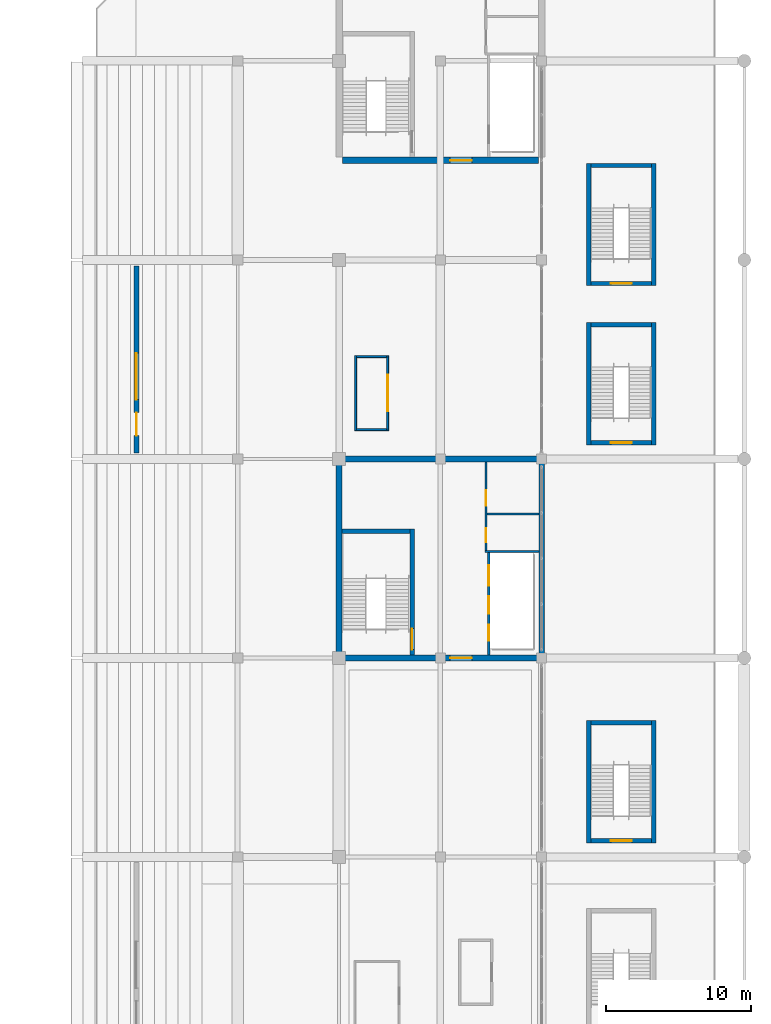
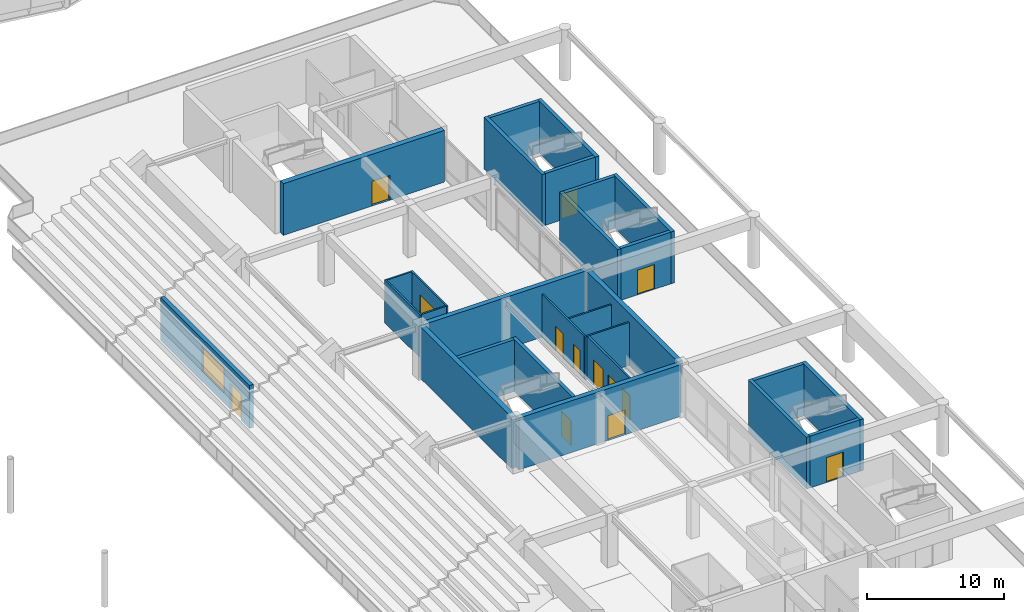
# One storey, part 74 of 94: 28 walls, 13 doors, 1 window, 14 openings.
"""IFC4 building model written with IfcOpenShell, lengths in metres."""

from ifc_helpers import new_model, si_unit, direction, frame, frame_2d, origin, place, context, subcontext, project, spatial, rectangle, extrude, material, layer, layer_set, type_object, element, fill, save


model = new_model("IFC4")

# Units and contexts
model_context = context("Model", 3, precision=1e-05, world=origin(), true_north=direction((0.0, 1.0)))
body_context = subcontext(model_context, "Body", "Model", "MODEL_VIEW")
ifc_project = project(units=[si_unit("LENGTHUNIT", "METRE"), si_unit("AREAUNIT", "SQUARE_METRE"), si_unit("VOLUMEUNIT", "CUBIC_METRE"), si_unit("PLANEANGLEUNIT", "RADIAN"), si_unit("MASSUNIT", "GRAM", prefix="KILO")], contexts=[model_context])

# Site, building, storey
site_placement = place(None, origin())
site = spatial("IfcSite", under=ifc_project, at=site_placement, CompositionType="ELEMENT")
building_placement = place(site_placement, origin())
building = spatial("IfcBuilding", under=site, at=building_placement, Name="Linyun Crest Stadium", CompositionType="ELEMENT")
storey_placement = place(building_placement, frame((0.0, 0.0, 16.199951171875)))
storey = spatial("IfcBuildingStorey", under=building, at=storey_placement, Name="L04", CompositionType="ELEMENT", Elevation=16.199951171875)

# Walls
ifc_material_1 = material(Name="Concrete C50", Category="concrete")
ifc_layer_1 = layer(ifc_material_1, 0.39990234375)
ifc_layer_set_1 = layer_set([ifc_layer_1], Name="Concrete C50")
wall_type_1 = type_object("IfcWallType", Name="CW02", PredefinedType="SHEAR", material=ifc_layer_set_1)
for number, where, z_axis, x_axis, name in (
    (1, (70.0, 2.324951171875, 0.0), (0.0, 0.0, 1.0), (0.0, 1.0, 0.0), "Core shear wall CW02 CORE-E2 L04.1"),
    (2, (84.0, 2.324951171875, 0.0), (0.0, 0.0, 1.0), (0.0, 1.0, 0.0), "Core shear wall CW02 CORE-E2 L04.2"),
):
    element("IfcWall", number, at=place(storey_placement, frame(where, z_axis=z_axis, x_axis=x_axis)), inside=storey, type_object=wall_type_1, Name=name, PredefinedType="SHEAR", context=body_context, shape_type="SweptSolid", body=[
        extrude(rectangle(XDim=13.35009765625, YDim=0.39990234375, at=frame_2d((6.675048828125, 0.0))), origin(), (0.0, 0.0, 1.0), 4.60009765625),
    ])

# Wall, opening, door
wall_1_placement = place(storey_placement, frame((70.199951171875, 2.125, 0.0), z_axis=(0.0, 0.0, 1.0), x_axis=(1.0, 0.0, 0.0)))
wall_1 = element("IfcWall", 3, at=wall_1_placement, inside=storey, type_object=wall_type_1, Name="Core shear wall CW02 CORE-E2 L04.3", PredefinedType="SHEAR", context=body_context, shape_type="SweptSolid", body=[
    extrude(rectangle(XDim=13.60009765625, YDim=0.39990234375, at=frame_2d((6.800048828125, 0.0))), origin(), (0.0, 0.0, 1.0), 4.60009765625),
])
opening_1_placement = place(wall_1_placement, frame((7.47998046875, 0.0, 0.0)))
opening_1 = element("IfcOpeningElement", 4, at=opening_1_placement, cuts=wall_1, Name="Opening D-L04-212", PredefinedType="OPENING", context=body_context, shape_type="SweptSolid", body=[
    extrude(rectangle(XDim=1.5, YDim=2.199951171875, at=frame_2d((0.75, 1.10009765625))), frame((0.0, 0.2099609375, 0.0), z_axis=(0.0, -1.0, 0.0), x_axis=(1.0, 0.0, 0.0)), (0.0, 0.0, 1.0), 0.419921875),
])
ifc_material_2 = material(Name="Galvanized steel Class A fire door", Category="steel")
ifc_layer_2 = layer(ifc_material_2, 0.054931640625)
ifc_layer_set_2 = layer_set([ifc_layer_2], Name="Galvanized steel Class A fire door")
door_type_1 = type_object("IfcDoorType", Name="FD01", OperationType="NOTDEFINED", PredefinedType="DOOR", material=ifc_layer_set_2)
door_1_placement = place(opening_1_placement, origin())
door_1 = element("IfcDoor", 5, at=door_1_placement, inside=storey, type_object=door_type_1, Name="Door D-L04-212", OperationType="SINGLE_SWING_RIGHT", OverallHeight=2.199951171875, OverallWidth=1.5, PredefinedType="DOOR", context=body_context, shape_type="SweptSolid", body=[
    extrude(rectangle(XDim=1.5, YDim=2.199951171875, at=frame_2d((0.75, 1.10009765625))), frame((0.0, 0.02490234375, 0.0), z_axis=(0.0, -1.0, 0.0), x_axis=(1.0, 0.0, 0.0)), (0.0, 0.0, 1.0), 0.050048828125),
])
fill(opening_1, door_1)

# Wall
wall_2_placement = place(storey_placement, frame((70.199951171875, 15.875, 0.0), z_axis=(0.0, 0.0, 1.0), x_axis=(1.0, 0.0, 0.0)))
element("IfcWall", 6, at=wall_2_placement, inside=storey, type_object=wall_type_1, Name="Core shear wall CW02 CORE-E2 L04.4", PredefinedType="SHEAR", context=body_context, shape_type="SweptSolid", body=[
    extrude(rectangle(XDim=13.60009765625, YDim=0.39990234375, at=frame_2d((6.800048828125, 0.0))), origin(), (0.0, 0.0, 1.0), 4.60009765625),
])

# Wall, opening, door
ifc_material_3 = material(Name="Concrete C50", Category="concrete")
ifc_layer_3 = layer(ifc_material_3, 0.449951171875)
ifc_layer_set_3 = layer_set([ifc_layer_3], Name="Concrete C50")
wall_type_2 = type_object("IfcWallType", Name="CW03", PredefinedType="SHEAR", material=ifc_layer_set_3)
wall_3_placement = place(storey_placement, frame((70.22509765625, 36.5, 0.0), z_axis=(0.0, 0.0, 1.0), x_axis=(1.0, 0.0, 0.0)))
wall_3 = element("IfcWall", 7, at=wall_3_placement, inside=storey, type_object=wall_type_2, Name="Core shear wall CW03 CORE-E3 L04.3", PredefinedType="SHEAR", context=body_context, shape_type="SweptSolid", body=[
    extrude(rectangle(XDim=13.5498046875, YDim=0.449951171875, at=frame_2d((6.77490234375, 0.0))), origin(), (0.0, 0.0, 1.0), 4.60009765625),
])
opening_2_placement = place(wall_3_placement, frame((7.452880859375, 0.0, 0.0)))
opening_2 = element("IfcOpeningElement", 8, at=opening_2_placement, cuts=wall_3, Name="Opening D-L04-246", PredefinedType="OPENING", context=body_context, shape_type="SweptSolid", body=[
    extrude(rectangle(XDim=1.5, YDim=2.199951171875, at=frame_2d((0.75, 1.10009765625))), frame((0.0, 0.23486328125, 0.0), z_axis=(0.0, -1.0, 0.0), x_axis=(1.0, 0.0, 0.0)), (0.0, 0.0, 1.0), 0.469970703125),
])
door_2_placement = place(opening_2_placement, origin())
door_2 = element("IfcDoor", 9, at=door_2_placement, inside=storey, type_object=door_type_1, Name="Door D-L04-246", OperationType="SINGLE_SWING_RIGHT", OverallHeight=2.199951171875, OverallWidth=1.5, PredefinedType="DOOR", context=body_context, shape_type="SweptSolid", body=[
    extrude(rectangle(XDim=1.5, YDim=2.199951171875, at=frame_2d((0.75, 1.10009765625))), frame((0.0, 0.02490234375, 0.0), z_axis=(0.0, -1.0, 0.0), x_axis=(1.0, 0.0, 0.0)), (0.0, 0.0, 1.0), 0.050048828125),
])
fill(opening_2, door_2)

# Wall, openings, door, window
ifc_material_4 = material(Name="Precast concrete C40 insulated facade panel", Category="concrete")
ifc_layer_4 = layer(ifc_material_4, 0.330078125)
ifc_layer_set_4 = layer_set([ifc_layer_4], Name="Precast concrete C40 insulated facade panel")
wall_type_3 = type_object("IfcWallType", Name="EW05", PredefinedType="SOLIDWALL", material=ifc_layer_set_4)
wall_4_placement = place(storey_placement, frame((56.0, 16.280029296875, 0.0), z_axis=(0.0, 0.0, 1.0), x_axis=(0.0, 1.0, 0.0)))
wall_4 = element("IfcWall", 10, at=wall_4_placement, inside=storey, type_object=wall_type_3, Name="Exterior wall EW05 L04 69", PredefinedType="SOLIDWALL", context=body_context, shape_type="SweptSolid", body=[
    extrude(rectangle(XDim=12.93994140625, YDim=0.330078125, at=frame_2d((6.469970703125, 0.0))), origin(), (0.0, 0.0, 1.0), 3.820068359375),
])
opening_3_placement = place(wall_4_placement, frame((1.199951171875, 0.0, 0.0)))
opening_3 = element("IfcOpeningElement", 11, at=opening_3_placement, cuts=wall_4, Name="Opening BD-L04-08", PredefinedType="OPENING", context=body_context, shape_type="SweptSolid", body=[
    extrude(rectangle(XDim=1.60009765625, YDim=2.300048828125, at=frame_2d((0.800048828125, 1.14990234375))), frame((0.0, 0.175048828125, 0.0), z_axis=(0.0, -1.0, 0.0), x_axis=(1.0, 0.0, 0.0)), (0.0, 0.0, 1.0), 0.35009765625),
])
opening_4_placement = place(wall_4_placement, frame((3.699951171875, 0.0, 0.89990234375)))
opening_4 = element("IfcOpeningElement", 12, at=opening_4_placement, cuts=wall_4, Name="Opening WN10", PredefinedType="OPENING", context=body_context, shape_type="SweptSolid", body=[
    extrude(rectangle(XDim=3.199951171875, YDim=2.199951171875, at=frame_2d((1.60009765625, 1.10009765625))), frame((0.0, 0.175048828125, 0.0), z_axis=(0.0, -1.0, 0.0), x_axis=(1.0, 0.0, 0.0)), (0.0, 0.0, 1.0), 0.35009765625),
])
ifc_material_5 = material(Name="Thermally broken aluminium and low-E glass", Category="aluminium")
ifc_layer_5 = layer(ifc_material_5, 0.054931640625)
ifc_layer_set_5 = layer_set([ifc_layer_5], Name="Thermally broken aluminium and low-E glass")
door_type_2 = type_object("IfcDoorType", Name="BD04", OperationType="NOTDEFINED", PredefinedType="DOOR", material=ifc_layer_set_5)
door_3_placement = place(opening_3_placement, origin())
door_3 = element("IfcDoor", 13, at=door_3_placement, inside=storey, type_object=door_type_2, Name="Terrace door BD-L04-08", OperationType="SINGLE_SWING_RIGHT", OverallHeight=2.300048828125, OverallWidth=1.60009765625, PredefinedType="DOOR", context=body_context, shape_type="SweptSolid", body=[
    extrude(rectangle(XDim=1.60009765625, YDim=2.300048828125, at=frame_2d((0.800048828125, 1.14990234375))), frame((0.0, 0.02490234375, 0.0), z_axis=(0.0, -1.0, 0.0), x_axis=(1.0, 0.0, 0.0)), (0.0, 0.0, 1.0), 0.050048828125),
])
fill(opening_3, door_3)
ifc_material_6 = material(Name="Hospitality panoramic low-E vision window")
ifc_layer_6 = layer(ifc_material_6, 0.06494140625)
ifc_layer_set_6 = layer_set([ifc_layer_6], Name="Hospitality panoramic low-E vision window")
window_type = type_object("IfcWindowType", Name="WN10", PartitioningType="SINGLE_PANEL", PredefinedType="WINDOW", material=ifc_layer_set_6)
window_placement = place(opening_4_placement, origin())
window = element("IfcWindow", 14, at=window_placement, inside=storey, type_object=window_type, Name="Window WN10 L04 44", OverallHeight=2.199951171875, OverallWidth=3.199951171875, PartitioningType="SINGLE_PANEL", PredefinedType="WINDOW", context=body_context, shape_type="SweptSolid", body=[
    extrude(rectangle(XDim=3.199951171875, YDim=2.199951171875, at=frame_2d((1.60009765625, 1.10009765625))), frame((0.0, 0.030029296875, 0.0), z_axis=(0.0, -1.0, 0.0), x_axis=(1.0, 0.0, 0.0)), (0.0, 0.0, 1.0), 0.06005859375),
])
fill(opening_4, window)

# Wall, openings, doors
ifc_material_7 = material(Name="Autoclaved aerated concrete block fire partition", Category="concrete")
ifc_layer_7 = layer(ifc_material_7, 0.179931640625)
ifc_layer_set_7 = layer_set([ifc_layer_7], Name="Autoclaved aerated concrete block fire partition")
wall_type_4 = type_object("IfcWallType", Name="PW12", PredefinedType="PARTITIONING", material=ifc_layer_set_7)
wall_5_placement = place(storey_placement, frame((80.35009765625, 2.324951171875, 0.0), z_axis=(0.0, 0.0, 1.0), x_axis=(0.0, 1.0, 0.0)))
wall_5 = element("IfcWall", 15, at=wall_5_placement, inside=storey, type_object=wall_type_4, Name="Partition PW12 L04 77", PredefinedType="PARTITIONING", context=body_context, shape_type="SweptSolid", body=[
    extrude(rectangle(XDim=7.080078125, YDim=0.179931640625, at=frame_2d((3.5400390625, 0.0))), origin(), (0.0, 0.0, 1.0), 3.820068359375),
])
opening_5_placement = place(wall_5_placement, frame((1.0, 0.0, 0.0)))
opening_5 = element("IfcOpeningElement", 16, at=opening_5_placement, cuts=wall_5, Name="Opening LD073", PredefinedType="OPENING", context=body_context, shape_type="SweptSolid", body=[
    extrude(rectangle(XDim=1.10009765625, YDim=2.199951171875, at=frame_2d((0.550048828125, 1.10009765625))), frame((0.0, 0.099853515625, 0.0), z_axis=(0.0, -1.0, 0.0), x_axis=(1.0, 0.0, 0.0)), (0.0, 0.0, 1.0), 0.199951171875),
])
opening_6_placement = place(wall_5_placement, frame((2.85009765625, 0.0, 0.0)))
opening_6 = element("IfcOpeningElement", 17, at=opening_6_placement, cuts=wall_5, Name="Opening LD074", PredefinedType="OPENING", context=body_context, shape_type="SweptSolid", body=[
    extrude(rectangle(XDim=1.199951171875, YDim=2.25, at=frame_2d((0.60009765625, 1.125))), frame((0.0, 0.099853515625, 0.0), z_axis=(0.0, -1.0, 0.0), x_axis=(1.0, 0.0, 0.0)), (0.0, 0.0, 1.0), 0.199951171875),
])
opening_7_placement = place(wall_5_placement, frame((4.800048828125, 0.0, 0.0)))
opening_7 = element("IfcOpeningElement", 18, at=opening_7_placement, cuts=wall_5, Name="Opening LD075", PredefinedType="OPENING", context=body_context, shape_type="SweptSolid", body=[
    extrude(rectangle(XDim=1.39990234375, YDim=2.300048828125, at=frame_2d((0.699951171875, 1.14990234375))), frame((0.0, 0.099853515625, 0.0), z_axis=(0.0, -1.0, 0.0), x_axis=(1.0, 0.0, 0.0)), (0.0, 0.0, 1.0), 0.199951171875),
])
ifc_material_8 = material(Name="Brushed stainless sliding lift door")
ifc_layer_8 = layer(ifc_material_8, 0.050048828125)
ifc_layer_set_8 = layer_set([ifc_layer_8], Name="Brushed stainless sliding lift door")
door_type_3 = type_object("IfcDoorType", Name="LD01", OperationType="NOTDEFINED", PredefinedType="DOOR", material=ifc_layer_set_8)
door_4_placement = place(opening_5_placement, origin())
door_4 = element("IfcDoor", 19, at=door_4_placement, inside=storey, type_object=door_type_3, Name="Lift landing door LD073", OperationType="DOUBLE_DOOR_SLIDING", OverallHeight=2.199951171875, OverallWidth=1.10009765625, PredefinedType="DOOR", context=body_context, shape_type="SweptSolid", body=[
    extrude(rectangle(XDim=1.10009765625, YDim=2.199951171875, at=frame_2d((0.550048828125, 1.10009765625))), frame((0.0, 0.02490234375, 0.0), z_axis=(0.0, -1.0, 0.0), x_axis=(1.0, 0.0, 0.0)), (0.0, 0.0, 1.0), 0.050048828125),
])
fill(opening_5, door_4)
ifc_material_9 = material(Name="Brushed stainless sliding lift door")
ifc_layer_9 = layer(ifc_material_9, 0.050048828125)
ifc_layer_set_9 = layer_set([ifc_layer_9], Name="Brushed stainless sliding lift door")
door_type_4 = type_object("IfcDoorType", Name="LD02", OperationType="NOTDEFINED", PredefinedType="DOOR", material=ifc_layer_set_9)
door_5_placement = place(opening_6_placement, origin())
door_5 = element("IfcDoor", 20, at=door_5_placement, inside=storey, type_object=door_type_4, Name="Lift landing door LD074", OperationType="DOUBLE_DOOR_SLIDING", OverallHeight=2.25, OverallWidth=1.199951171875, PredefinedType="DOOR", context=body_context, shape_type="SweptSolid", body=[
    extrude(rectangle(XDim=1.199951171875, YDim=2.25, at=frame_2d((0.60009765625, 1.125))), frame((0.0, 0.02490234375, 0.0), z_axis=(0.0, -1.0, 0.0), x_axis=(1.0, 0.0, 0.0)), (0.0, 0.0, 1.0), 0.050048828125),
])
fill(opening_6, door_5)
ifc_material_10 = material(Name="Heavy-duty stainless sliding door")
ifc_layer_10 = layer(ifc_material_10, 0.054931640625)
ifc_layer_set_10 = layer_set([ifc_layer_10], Name="Heavy-duty stainless sliding door")
door_type_5 = type_object("IfcDoorType", Name="LD03", OperationType="NOTDEFINED", PredefinedType="DOOR", material=ifc_layer_set_10)
door_6_placement = place(opening_7_placement, origin())
door_6 = element("IfcDoor", 21, at=door_6_placement, inside=storey, type_object=door_type_5, Name="Lift landing door LD075", OperationType="DOUBLE_DOOR_SLIDING", OverallHeight=2.300048828125, OverallWidth=1.39990234375, PredefinedType="DOOR", context=body_context, shape_type="SweptSolid", body=[
    extrude(rectangle(XDim=1.39990234375, YDim=2.300048828125, at=frame_2d((0.699951171875, 1.14990234375))), frame((0.0, 0.02490234375, 0.0), z_axis=(0.0, -1.0, 0.0), x_axis=(1.0, 0.0, 0.0)), (0.0, 0.0, 1.0), 0.050048828125),
])
fill(opening_7, door_6)

ifc_material_11 = material(Name="Moisture-resistant ceramic-tiled wet-room wall")
ifc_layer_11 = layer(ifc_material_11, 0.139892578125)
ifc_layer_set_11 = layer_set([ifc_layer_11], Name="Moisture-resistant ceramic-tiled wet-room wall")
wall_type_5 = type_object("IfcWallType", Name="PW15", PredefinedType="PARTITIONING", material=ifc_layer_set_11)
wall_6_placement = place(storey_placement, frame((80.14990234375, 9.544921875, 0.0), z_axis=(0.0, 0.0, 1.0), x_axis=(0.0, 1.0, 0.0)))
wall_6 = element("IfcWall", 22, at=wall_6_placement, inside=storey, type_object=wall_type_5, Name="Partition PW15 L04 78", PredefinedType="PARTITIONING", context=body_context, shape_type="SweptSolid", body=[
    extrude(rectangle(XDim=6.130126953125, YDim=0.139892578125, at=frame_2d((3.06494140625, 0.0))), origin(), (0.0, 0.0, 1.0), 3.820068359375),
])
opening_8_placement = place(wall_6_placement, frame((0.580078125, 0.0, 0.0)))
opening_8 = element("IfcOpeningElement", 23, at=opening_8_placement, cuts=wall_6, Name="Opening D-L04-217", PredefinedType="OPENING", context=body_context, shape_type="SweptSolid", body=[
    extrude(rectangle(XDim=0.949951171875, YDim=2.14990234375, at=frame_2d((0.47509765625, 1.074951171875))), frame((0.0, 0.079833984375, 0.0), z_axis=(0.0, -1.0, 0.0), x_axis=(1.0, 0.0, 0.0)), (0.0, 0.0, 1.0), 0.159912109375),
])
opening_9_placement = place(wall_6_placement, frame((3.080078125, 0.0, 0.0)))
opening_9 = element("IfcOpeningElement", 24, at=opening_9_placement, cuts=wall_6, Name="Opening D-L04-218", PredefinedType="OPENING", context=body_context, shape_type="SweptSolid", body=[
    extrude(rectangle(XDim=1.10009765625, YDim=2.14990234375, at=frame_2d((0.550048828125, 1.074951171875))), frame((0.0, 0.079833984375, 0.0), z_axis=(0.0, -1.0, 0.0), x_axis=(1.0, 0.0, 0.0)), (0.0, 0.0, 1.0), 0.159912109375),
])
ifc_material_12 = material(Name="Moisture-resistant laminate leaf")
ifc_layer_12 = layer(ifc_material_12, 0.044921875)
ifc_layer_set_12 = layer_set([ifc_layer_12], Name="Moisture-resistant laminate leaf")
door_type_6 = type_object("IfcDoorType", Name="ID02", OperationType="NOTDEFINED", PredefinedType="DOOR", material=ifc_layer_set_12)
door_7_placement = place(opening_8_placement, origin())
door_7 = element("IfcDoor", 25, at=door_7_placement, inside=storey, type_object=door_type_6, Name="Door D-L04-217", OperationType="SINGLE_SWING_LEFT", OverallHeight=2.14990234375, OverallWidth=0.949951171875, PredefinedType="DOOR", context=body_context, shape_type="SweptSolid", body=[
    extrude(rectangle(XDim=0.949951171875, YDim=2.14990234375, at=frame_2d((0.47509765625, 1.074951171875))), frame((0.0, 0.02490234375, 0.0), z_axis=(0.0, -1.0, 0.0), x_axis=(1.0, 0.0, 0.0)), (0.0, 0.0, 1.0), 0.050048828125),
])
fill(opening_8, door_7)
ifc_material_13 = material(Name="Moisture-resistant laminate leaf")
ifc_layer_13 = layer(ifc_material_13, 0.044921875)
ifc_layer_set_13 = layer_set([ifc_layer_13], Name="Moisture-resistant laminate leaf")
door_type_7 = type_object("IfcDoorType", Name="ID03", OperationType="NOTDEFINED", PredefinedType="DOOR", material=ifc_layer_set_13)
door_8_placement = place(opening_9_placement, origin())
door_8 = element("IfcDoor", 26, at=door_8_placement, inside=storey, type_object=door_type_7, Name="Door D-L04-218", OperationType="SINGLE_SWING_RIGHT", OverallHeight=2.14990234375, OverallWidth=1.10009765625, PredefinedType="DOOR", context=body_context, shape_type="SweptSolid", body=[
    extrude(rectangle(XDim=1.10009765625, YDim=2.14990234375, at=frame_2d((0.550048828125, 1.074951171875))), frame((0.0, 0.02490234375, 0.0), z_axis=(0.0, -1.0, 0.0), x_axis=(1.0, 0.0, 0.0)), (0.0, 0.0, 1.0), 0.050048828125),
])
fill(opening_9, door_8)

# Walls
wall_7_placement = place(storey_placement, frame((80.080078125, 9.47509765625, 0.0), z_axis=(0.0, 0.0, 1.0), x_axis=(1.0, 0.0, 0.0)))
element("IfcWall", 27, at=wall_7_placement, inside=storey, type_object=wall_type_5, Name="Enclosure partition PW15 L04 63", PredefinedType="PARTITIONING", context=body_context, shape_type="SweptSolid", body=[
    extrude(rectangle(XDim=3.719970703125, YDim=0.139892578125, at=frame_2d((1.85986328125, 0.0))), origin(), (0.0, 0.0, 1.0), 3.820068359375),
])
wall_8_placement = place(storey_placement, frame((80.219970703125, 12.074951171875, 0.0), z_axis=(0.0, 0.0, 1.0), x_axis=(1.0, 0.0, 0.0)))
element("IfcWall", 28, at=wall_8_placement, inside=storey, type_object=wall_type_5, Name="Enclosure partition PW15 L04 64", PredefinedType="PARTITIONING", context=body_context, shape_type="SweptSolid", body=[
    extrude(rectangle(XDim=3.580078125, YDim=0.139892578125, at=frame_2d((1.7900390625, 0.0))), origin(), (0.0, 0.0, 1.0), 3.820068359375),
])

# Wall, opening, door
ifc_material_14 = material(Name="Impact-resistant community sports hall lining")
ifc_layer_14 = layer(ifc_material_14, 0.135009765625)
ifc_layer_set_14 = layer_set([ifc_layer_14], Name="Impact-resistant community sports hall lining")
wall_type_6 = type_object("IfcWallType", Name="PW19", PredefinedType="PARTITIONING", material=ifc_layer_set_14)
wall_9_placement = place(storey_placement, frame((73.363037109375, 23.013916015625, 0.0), z_axis=(0.0, 0.0, 1.0), x_axis=(0.0, -1.0, 0.0)))
wall_9 = element("IfcWall", 29, at=wall_9_placement, inside=storey, type_object=wall_type_6, Name="Partition PW19 L04 220", PredefinedType="PARTITIONING", context=body_context, shape_type="SweptSolid", body=[
    extrude(rectangle(XDim=5.179931640625, YDim=0.135009765625, at=frame_2d((2.58984375, 0.0))), origin(), (0.0, 0.0, 1.0), 3.820068359375),
])
opening_10_placement = place(wall_9_placement, frame((1.340087890625, 0.0, 0.0)))
opening_10 = element("IfcOpeningElement", 30, at=opening_10_placement, cuts=wall_9, Name="Opening D-L04-483", PredefinedType="OPENING", context=body_context, shape_type="SweptSolid", body=[
    extrude(rectangle(XDim=2.5, YDim=2.5, at=frame_2d((1.25, 1.25))), frame((0.0, 0.077392578125, 0.0), z_axis=(0.0, -1.0, 0.0), x_axis=(1.0, 0.0, 0.0)), (0.0, 0.0, 1.0), 0.155029296875),
])
ifc_material_15 = material(Name="Verdigris framed glazed concourse door")
ifc_layer_15 = layer(ifc_material_15, 0.054931640625)
ifc_layer_set_15 = layer_set([ifc_layer_15], Name="Verdigris framed glazed concourse door")
door_type_8 = type_object("IfcDoorType", Name="ID16", OperationType="NOTDEFINED", PredefinedType="DOOR", material=ifc_layer_set_15)
door_9_placement = place(opening_10_placement, origin())
door_9 = element("IfcDoor", 31, at=door_9_placement, inside=storey, type_object=door_type_8, Name="Door D-L04-483", OperationType="DOUBLE_DOOR_SINGLE_SWING", OverallHeight=2.5, OverallWidth=2.5, PredefinedType="DOOR", context=body_context, shape_type="SweptSolid", body=[
    extrude(rectangle(XDim=2.5, YDim=2.5, at=frame_2d((1.25, 1.25))), frame((0.0, 0.02490234375, 0.0), z_axis=(0.0, -1.0, 0.0), x_axis=(1.0, 0.0, 0.0)), (0.0, 0.0, 1.0), 0.050048828125),
])
fill(opening_10, door_9)

# Walls
wall_10_placement = place(storey_placement, frame((71.14306640625, 17.833984375, 0.0), z_axis=(0.0, 0.0, 1.0), x_axis=(0.0, 1.0, 0.0)))
element("IfcWall", 32, at=wall_10_placement, inside=storey, type_object=wall_type_6, Name="Enclosure partition PW19 L04 376", PredefinedType="PARTITIONING", context=body_context, shape_type="SweptSolid", body=[
    extrude(rectangle(XDim=5.179931640625, YDim=0.135009765625, at=frame_2d((2.58984375, 0.0))), origin(), (0.0, 0.0, 1.0), 3.820068359375),
])
for number, where, z_axis, x_axis, name in (
    (33, (71.2109375, 17.902099609375, 0.0), (0.0, 0.0, 1.0), (1.0, 0.0, 0.0), "Enclosure partition PW19 L04 377"),
    (34, (71.2109375, 22.946044921875, 0.0), (0.0, 0.0, 1.0), (1.0, 0.0, 0.0), "Enclosure partition PW19 L04 378"),
):
    element("IfcWall", number, at=place(storey_placement, frame(where, z_axis=z_axis, x_axis=x_axis)), inside=storey, type_object=wall_type_6, Name=name, PredefinedType="PARTITIONING", context=body_context, shape_type="SweptSolid", body=[
        extrude(rectangle(XDim=2.083984375, YDim=0.135009765625, at=frame_2d((1.0419921875, 0.0))), origin(), (0.0, 0.0, 1.0), 3.820068359375),
    ])

# Wall, opening, door
ifc_material_16 = material(Name="Concrete C50", Category="concrete")
ifc_layer_16 = layer(ifc_material_16, 0.300048828125)
ifc_layer_set_16 = layer_set([ifc_layer_16], Name="Concrete C50")
wall_type_7 = type_object("IfcWallType", Name="SW01", PredefinedType="SHEAR", material=ifc_layer_set_16)
wall_11_placement = place(storey_placement, frame((75.050048828125, 2.324951171875, 0.0), z_axis=(0.0, 0.0, 1.0), x_axis=(0.0, 1.0, 0.0)))
wall_11 = element("IfcWall", 35, at=wall_11_placement, inside=storey, type_object=wall_type_7, Name="Core stair east bearing wall SW01 5 L04", PredefinedType="SHEAR", context=body_context, shape_type="SweptSolid", body=[
    extrude(rectangle(XDim=8.699951171875, YDim=0.300048828125, at=frame_2d((4.35009765625, 0.0))), origin(), (0.0, 0.0, 1.0), 4.60009765625),
])
opening_11_placement = place(wall_11_placement, frame((0.3701171875, 0.0, 0.0)))
opening_11 = element("IfcOpeningElement", 36, at=opening_11_placement, cuts=wall_11, Name="Opening D-L04-213", PredefinedType="OPENING", context=body_context, shape_type="SweptSolid", body=[
    extrude(rectangle(XDim=1.449951171875, YDim=2.199951171875, at=frame_2d((0.72509765625, 1.10009765625))), frame((0.0, 0.159912109375, 0.0), z_axis=(0.0, -1.0, 0.0), x_axis=(1.0, 0.0, 0.0)), (0.0, 0.0, 1.0), 0.320068359375),
])
ifc_material_17 = material(Name="Galvanized steel Class A fire door", Category="steel")
ifc_layer_17 = layer(ifc_material_17, 0.054931640625)
ifc_layer_set_17 = layer_set([ifc_layer_17], Name="Galvanized steel Class A fire door")
door_type_9 = type_object("IfcDoorType", Name="FD02", OperationType="NOTDEFINED", PredefinedType="DOOR", material=ifc_layer_set_17)
door_10_placement = place(opening_11_placement, origin())
door_10 = element("IfcDoor", 37, at=door_10_placement, inside=storey, type_object=door_type_9, Name="Door D-L04-213", OperationType="SINGLE_SWING_LEFT", OverallHeight=2.199951171875, OverallWidth=1.449951171875, PredefinedType="DOOR", context=body_context, shape_type="SweptSolid", body=[
    extrude(rectangle(XDim=1.449951171875, YDim=2.199951171875, at=frame_2d((0.72509765625, 1.10009765625))), frame((0.0, 0.02490234375, 0.0), z_axis=(0.0, -1.0, 0.0), x_axis=(1.0, 0.0, 0.0)), (0.0, 0.0, 1.0), 0.050048828125),
])
fill(opening_11, door_10)

# Wall
wall_12_placement = place(storey_placement, frame((70.199951171875, 10.875, 0.0), z_axis=(0.0, 0.0, 1.0), x_axis=(1.0, 0.0, 0.0)))
element("IfcWall", 38, at=wall_12_placement, inside=storey, type_object=wall_type_7, Name="Core stair bearing wall SW01 5 L04", PredefinedType="SHEAR", context=body_context, shape_type="SweptSolid", body=[
    extrude(rectangle(XDim=4.699951171875, YDim=0.300048828125, at=frame_2d((2.35009765625, 0.0))), origin(), (0.0, 0.0, 1.0), 4.60009765625),
])

# Wall, opening, door
wall_13_placement = place(storey_placement, frame((87.39990234375, -10.5, 0.0), z_axis=(0.0, 0.0, 1.0), x_axis=(1.0, 0.0, 0.0)))
wall_13 = element("IfcWall", 39, at=wall_13_placement, inside=storey, type_object=wall_type_7, Name="Stair shaft wall SW01 STR-20 L04 S", PredefinedType="SHEAR", context=body_context, shape_type="SweptSolid", body=[
    extrude(rectangle(XDim=4.2001953125, YDim=0.300048828125, at=frame_2d((2.10009765625, 0.0))), origin(), (0.0, 0.0, 1.0), 4.60009765625),
])
opening_12_placement = place(wall_13_placement, frame((1.375, 0.0, 0.0)))
opening_12 = element("IfcOpeningElement", 40, at=opening_12_placement, cuts=wall_13, Name="Opening D-L04-582", PredefinedType="OPENING", context=body_context, shape_type="SweptSolid", body=[
    extrude(rectangle(XDim=1.449951171875, YDim=2.199951171875, at=frame_2d((0.72509765625, 1.10009765625))), frame((0.0, 0.159912109375, 0.0), z_axis=(0.0, -1.0, 0.0), x_axis=(1.0, 0.0, 0.0)), (0.0, 0.0, 1.0), 0.320068359375),
])
door_11_placement = place(opening_12_placement, origin())
door_11 = element("IfcDoor", 41, at=door_11_placement, inside=storey, type_object=door_type_9, Name="Door D-L04-582", OperationType="SINGLE_SWING_RIGHT", OverallHeight=2.199951171875, OverallWidth=1.449951171875, PredefinedType="DOOR", context=body_context, shape_type="SweptSolid", body=[
    extrude(rectangle(XDim=1.449951171875, YDim=2.199951171875, at=frame_2d((0.72509765625, 1.10009765625))), frame((0.0, 0.02490234375, 0.0), z_axis=(0.0, -1.0, 0.0), x_axis=(1.0, 0.0, 0.0)), (0.0, 0.0, 1.0), 0.050048828125),
])
fill(opening_12, door_11)

# Walls
wall_14_placement = place(storey_placement, frame((87.39990234375, -2.35009765625, 0.0), z_axis=(0.0, 0.0, 1.0), x_axis=(1.0, 0.0, 0.0)))
element("IfcWall", 42, at=wall_14_placement, inside=storey, type_object=wall_type_7, Name="Stair shaft wall SW01 STR-20 L04 N", PredefinedType="SHEAR", context=body_context, shape_type="SweptSolid", body=[
    extrude(rectangle(XDim=4.2001953125, YDim=0.300048828125, at=frame_2d((2.10009765625, 0.0))), origin(), (0.0, 0.0, 1.0), 4.60009765625),
])
for number, where, z_axis, x_axis, name in (
    (43, (87.25, -10.64990234375, 0.0), (0.0, 0.0, 1.0), (0.0, 1.0, 0.0), "Stair shaft wall SW01 STR-20 L04 W"),
    (44, (91.75, -10.64990234375, 0.0), (0.0, 0.0, 1.0), (0.0, 1.0, 0.0), "Stair shaft wall SW01 STR-20 L04 E"),
):
    element("IfcWall", number, at=place(storey_placement, frame(where, z_axis=z_axis, x_axis=x_axis)), inside=storey, type_object=wall_type_7, Name=name, PredefinedType="SHEAR", context=body_context, shape_type="SweptSolid", body=[
        extrude(rectangle(XDim=8.449951171875, YDim=0.300048828125, at=frame_2d((4.22509765625, 0.0))), origin(), (0.0, 0.0, 1.0), 4.60009765625),
    ])

# Wall, opening, door
wall_15_placement = place(storey_placement, frame((87.39990234375, 17.0, 0.0), z_axis=(0.0, 0.0, 1.0), x_axis=(1.0, 0.0, 0.0)))
wall_15 = element("IfcWall", 45, at=wall_15_placement, inside=storey, type_object=wall_type_7, Name="Stair shaft wall SW01 STR-21 L04 S", PredefinedType="SHEAR", context=body_context, shape_type="SweptSolid", body=[
    extrude(rectangle(XDim=4.2001953125, YDim=0.300048828125, at=frame_2d((2.10009765625, 0.0))), origin(), (0.0, 0.0, 1.0), 4.60009765625),
])
opening_13_placement = place(wall_15_placement, frame((1.375, 0.0, 0.0)))
opening_13 = element("IfcOpeningElement", 46, at=opening_13_placement, cuts=wall_15, Name="Opening D-L04-587", PredefinedType="OPENING", context=body_context, shape_type="SweptSolid", body=[
    extrude(rectangle(XDim=1.449951171875, YDim=2.199951171875, at=frame_2d((0.72509765625, 1.10009765625))), frame((0.0, 0.159912109375, 0.0), z_axis=(0.0, -1.0, 0.0), x_axis=(1.0, 0.0, 0.0)), (0.0, 0.0, 1.0), 0.320068359375),
])
door_12_placement = place(opening_13_placement, origin())
door_12 = element("IfcDoor", 47, at=door_12_placement, inside=storey, type_object=door_type_9, Name="Door D-L04-587", OperationType="SINGLE_SWING_LEFT", OverallHeight=2.199951171875, OverallWidth=1.449951171875, PredefinedType="DOOR", context=body_context, shape_type="SweptSolid", body=[
    extrude(rectangle(XDim=1.449951171875, YDim=2.199951171875, at=frame_2d((0.72509765625, 1.10009765625))), frame((0.0, 0.02490234375, 0.0), z_axis=(0.0, -1.0, 0.0), x_axis=(1.0, 0.0, 0.0)), (0.0, 0.0, 1.0), 0.050048828125),
])
fill(opening_13, door_12)

# Walls
wall_16_placement = place(storey_placement, frame((87.39990234375, 25.14990234375, 0.0), z_axis=(0.0, 0.0, 1.0), x_axis=(1.0, 0.0, 0.0)))
element("IfcWall", 48, at=wall_16_placement, inside=storey, type_object=wall_type_7, Name="Stair shaft wall SW01 STR-21 L04 N", PredefinedType="SHEAR", context=body_context, shape_type="SweptSolid", body=[
    extrude(rectangle(XDim=4.2001953125, YDim=0.300048828125, at=frame_2d((2.10009765625, 0.0))), origin(), (0.0, 0.0, 1.0), 4.60009765625),
])
for number, where, z_axis, x_axis, name in (
    (49, (87.25, 16.85009765625, 0.0), (0.0, 0.0, 1.0), (0.0, 1.0, 0.0), "Stair shaft wall SW01 STR-21 L04 W"),
    (50, (91.75, 16.85009765625, 0.0), (0.0, 0.0, 1.0), (0.0, 1.0, 0.0), "Stair shaft wall SW01 STR-21 L04 E"),
):
    element("IfcWall", number, at=place(storey_placement, frame(where, z_axis=z_axis, x_axis=x_axis)), inside=storey, type_object=wall_type_7, Name=name, PredefinedType="SHEAR", context=body_context, shape_type="SweptSolid", body=[
        extrude(rectangle(XDim=8.449951171875, YDim=0.300048828125, at=frame_2d((4.22509765625, 0.0))), origin(), (0.0, 0.0, 1.0), 4.60009765625),
    ])

# Wall, opening, door
wall_17_placement = place(storey_placement, frame((87.39990234375, 28.0, 0.0), z_axis=(0.0, 0.0, 1.0), x_axis=(1.0, 0.0, 0.0)))
wall_17 = element("IfcWall", 51, at=wall_17_placement, inside=storey, type_object=wall_type_7, Name="Stair shaft wall SW01 STR-22 L04 S", PredefinedType="SHEAR", context=body_context, shape_type="SweptSolid", body=[
    extrude(rectangle(XDim=4.2001953125, YDim=0.300048828125, at=frame_2d((2.10009765625, 0.0))), origin(), (0.0, 0.0, 1.0), 4.60009765625),
])
opening_14_placement = place(wall_17_placement, frame((1.375, 0.0, 0.0)))
opening_14 = element("IfcOpeningElement", 52, at=opening_14_placement, cuts=wall_17, Name="Opening D-L04-592", PredefinedType="OPENING", context=body_context, shape_type="SweptSolid", body=[
    extrude(rectangle(XDim=1.449951171875, YDim=2.199951171875, at=frame_2d((0.72509765625, 1.10009765625))), frame((0.0, 0.159912109375, 0.0), z_axis=(0.0, -1.0, 0.0), x_axis=(1.0, 0.0, 0.0)), (0.0, 0.0, 1.0), 0.320068359375),
])
door_13_placement = place(opening_14_placement, origin())
door_13 = element("IfcDoor", 53, at=door_13_placement, inside=storey, type_object=door_type_9, Name="Door D-L04-592", OperationType="SINGLE_SWING_RIGHT", OverallHeight=2.199951171875, OverallWidth=1.449951171875, PredefinedType="DOOR", context=body_context, shape_type="SweptSolid", body=[
    extrude(rectangle(XDim=1.449951171875, YDim=2.199951171875, at=frame_2d((0.72509765625, 1.10009765625))), frame((0.0, 0.02490234375, 0.0), z_axis=(0.0, -1.0, 0.0), x_axis=(1.0, 0.0, 0.0)), (0.0, 0.0, 1.0), 0.050048828125),
])
fill(opening_14, door_13)

# Walls
wall_18_placement = place(storey_placement, frame((87.39990234375, 36.14990234375, 0.0), z_axis=(0.0, 0.0, 1.0), x_axis=(1.0, 0.0, 0.0)))
element("IfcWall", 54, at=wall_18_placement, inside=storey, type_object=wall_type_7, Name="Stair shaft wall SW01 STR-22 L04 N", PredefinedType="SHEAR", context=body_context, shape_type="SweptSolid", body=[
    extrude(rectangle(XDim=4.2001953125, YDim=0.300048828125, at=frame_2d((2.10009765625, 0.0))), origin(), (0.0, 0.0, 1.0), 4.60009765625),
])
for number, where, z_axis, x_axis, name in (
    (55, (87.25, 27.85009765625, 0.0), (0.0, 0.0, 1.0), (0.0, 1.0, 0.0), "Stair shaft wall SW01 STR-22 L04 W"),
    (56, (91.75, 27.85009765625, 0.0), (0.0, 0.0, 1.0), (0.0, 1.0, 0.0), "Stair shaft wall SW01 STR-22 L04 E"),
):
    element("IfcWall", number, at=place(storey_placement, frame(where, z_axis=z_axis, x_axis=x_axis)), inside=storey, type_object=wall_type_7, Name=name, PredefinedType="SHEAR", context=body_context, shape_type="SweptSolid", body=[
        extrude(rectangle(XDim=8.449951171875, YDim=0.300048828125, at=frame_2d((4.22509765625, 0.0))), origin(), (0.0, 0.0, 1.0), 4.60009765625),
    ])

save(model, "model.ifc")
